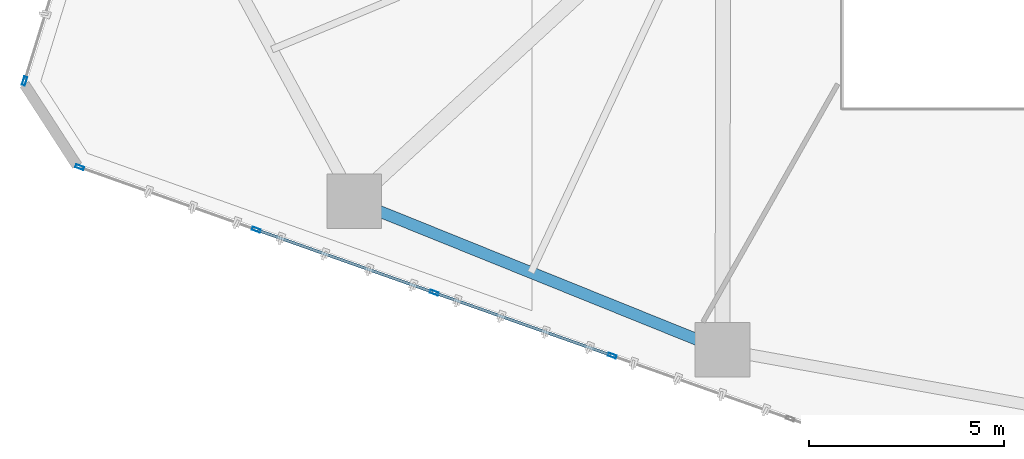
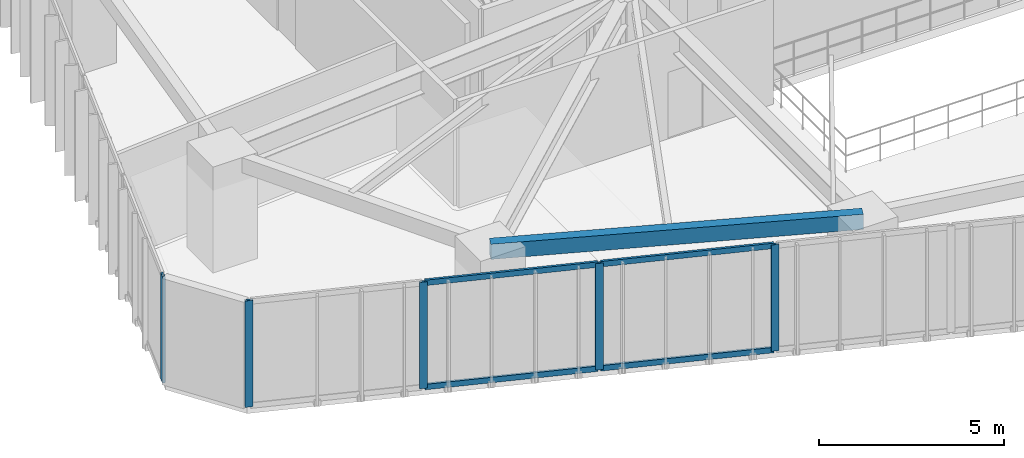
# One storey, part 2 of 24: 9 members, 1 beam, 2 elements without a shape of their own.
"""IFC4 building model written with IfcOpenShell, lengths in metres."""

from ifc_helpers import new_model, si_unit, direction, frame, origin, origin_2d, place, context, subcontext, project, spatial, hollow_rectangle, extrude, source, transform, mapped, material, layer, layer_set, material_profile, profile_set, type_object, type_shapes, element, aggregate, save


model = new_model("IFC4")

# Units and contexts
model_context = context("Model", 3, precision=1e-05, world=origin(), true_north=direction((0.0, 1.0)))
body_context = subcontext(model_context, "Body", "Model", "MODEL_VIEW")
ifc_project = project(units=[si_unit("LENGTHUNIT", "METRE"), si_unit("AREAUNIT", "SQUARE_METRE"), si_unit("VOLUMEUNIT", "CUBIC_METRE"), si_unit("PLANEANGLEUNIT", "RADIAN"), si_unit("MASSUNIT", "GRAM", prefix="KILO")], contexts=[model_context])

# Site, building, storey
site_placement = place(None, origin())
site = spatial("IfcSite", under=ifc_project, at=site_placement, CompositionType="ELEMENT")
building_placement = place(site_placement, origin())
building = spatial("IfcBuilding", under=site, at=building_placement, Name="Talar Marvaseh", CompositionType="ELEMENT")
storey_placement = place(building_placement, frame((0.0, 0.0, 31.60009765625)))
storey = spatial("IfcBuildingStorey", under=building, at=storey_placement, Name="L07", CompositionType="ELEMENT", Elevation=31.60009765625)

# Beam
ifc_material_1 = material(Name="Steel S355", Category="steel")
ifc_material_profile_1 = material_profile(ifc_material_1, hollow_rectangle(XDim=0.300048828125, YDim=0.5, WallThickness=0.02001953125, at=origin_2d()), Name="RHS500x300x20")
ifc_profile_set_1 = profile_set([ifc_material_profile_1], Name="Steel S355")
beam_type = type_object("IfcBeamType", Name="Zone 1 Perimeter Spandrel Beam RHS500x300x20", PredefinedType="SPANDREL", material=ifc_profile_set_1)
beam_placement = place(storey_placement, frame((18.68310546875, 12.97900390625, 3.27001953125), z_axis=(-0.927239278118, 0.374469386084, 0.0), x_axis=(-0.374469386084, -0.927239278118, 0.0)))
element("IfcBeam", 1, at=beam_placement, inside=storey, type_object=beam_type, Name="L07 Zone 1 Perimeter Spandrel Beam RHS500x300x20", PredefinedType="SPANDREL", context=body_context, shape_type="SweptSolid", body=[
    extrude(hollow_rectangle(XDim=0.300048828125, YDim=0.5, WallThickness=0.02001953125, at=origin_2d()), origin(), (0.0, 0.0, 1.0), 10.19287109375),
])

# Curtain wall, member
ifc_material_2 = material(Name="Architectural Aluminium", Category="aluminium")
ifc_layer = layer(ifc_material_2, 0.219970703125)
ifc_layer_set = layer_set([ifc_layer], Name="Architectural Aluminium")
curtain_wall_type = type_object("IfcCurtainWallType", Name="Unitised Low-E Museum Curtain Wall Z1", PredefinedType="NOTDEFINED", material=ifc_layer_set)
curtain_wall_1_placement = place(storey_placement, origin())
curtain_wall_1 = element("IfcCurtainWall", 2, at=curtain_wall_1_placement, inside=storey, type_object=curtain_wall_type, Name="L07 Unitised Low-E Museum Curtain Wall Z1", PredefinedType="NOTDEFINED")
ifc_material_profile_2 = material_profile(ifc_material_2, hollow_rectangle(XDim=0.080078125, YDim=0.219970703125, WallThickness=0.0048828125, at=origin_2d()), Name="RHS220x80x5")
ifc_profile_set_2 = profile_set([ifc_material_profile_2], Name="Architectural Aluminium")
member_type_1 = type_object("IfcMemberType", Name="Unitised Curtain Wall Heavy Mullion RHS220x80x5", PredefinedType="MULLION", material=ifc_profile_set_2)
shared_shape_1 = source(origin(), body_context, "Body", "SweptSolid", [
    extrude(hollow_rectangle(XDim=0.080078125, YDim=0.219970703125, WallThickness=0.0048828125, at=origin_2d()), origin(), (0.0, 0.0, 1.0), 3.52001953125),
])
type_shapes(member_type_1, [shared_shape_1])
member_1_placement = place(storey_placement, frame((0.775390625, 19.87841796875, 0.0), z_axis=(0.0, 0.0, 1.0), x_axis=(-0.955516473068, 0.294937738677, 0.0)))
member_1 = element("IfcMember", 3, at=member_1_placement, type_object=member_type_1, Name="CW-Z1 mullion 1", PredefinedType="MULLION", context=body_context, shape_type="MappedRepresentation", body=[
    mapped(shared_shape_1, transform((0.0, 0.0, 0.0), x_axis=(1.0, 0.0, 0.0), y_axis=(0.0, 1.0, 0.0), z_axis=(0.0, 0.0, 1.0), scale=1.0)),
])
aggregate(curtain_wall_1, [member_1])

# Curtain wall, members
curtain_wall_2_placement = place(storey_placement, origin())
curtain_wall_2 = element("IfcCurtainWall", 4, at=curtain_wall_2_placement, inside=storey, type_object=curtain_wall_type, Name="L07 Unitised Low-E Museum Curtain Wall Z1", PredefinedType="NOTDEFINED")
member_2_placement = place(storey_placement, frame((15.854248046875, 12.83056640625, 0.0), z_axis=(0.0, 0.0, 1.0), x_axis=(-0.333661385174, -0.942692993526, 0.0)))
member_2 = element("IfcMember", 5, at=member_2_placement, type_object=member_type_1, Name="CW-Z1 mullion 3", PredefinedType="MULLION", context=body_context, shape_type="MappedRepresentation", body=[
    mapped(shared_shape_1, transform((0.0, 0.0, 0.0), x_axis=(1.0, 0.0, 0.0), y_axis=(0.0, 1.0, 0.0), z_axis=(0.0, 0.0, 1.0), scale=1.0)),
])
member_3_placement = place(storey_placement, frame((11.28662109375, 14.447265625, 0.0), z_axis=(0.0, 0.0, 1.0), x_axis=(-0.333661385174, -0.942692993526, 0.0)))
member_3 = element("IfcMember", 6, at=member_3_placement, type_object=member_type_1, Name="CW-Z1 mullion 4", PredefinedType="MULLION", context=body_context, shape_type="MappedRepresentation", body=[
    mapped(shared_shape_1, transform((0.0, 0.0, 0.0), x_axis=(1.0, 0.0, 0.0), y_axis=(0.0, 1.0, 0.0), z_axis=(0.0, 0.0, 1.0), scale=1.0)),
])
member_4_placement = place(storey_placement, frame((6.71875, 16.06396484375, 0.0), z_axis=(0.0, 0.0, 1.0), x_axis=(-0.333661385174, -0.942692993526, 0.0)))
member_4 = element("IfcMember", 7, at=member_4_placement, type_object=member_type_1, Name="CW-Z1 mullion 5", PredefinedType="MULLION", context=body_context, shape_type="MappedRepresentation", body=[
    mapped(shared_shape_1, transform((0.0, 0.0, 0.0), x_axis=(1.0, 0.0, 0.0), y_axis=(0.0, 1.0, 0.0), z_axis=(0.0, 0.0, 1.0), scale=1.0)),
])
member_5_placement = place(storey_placement, frame((2.18896484375, 17.667236328125, 0.0), z_axis=(0.0, 0.0, 1.0), x_axis=(-0.333661385174, -0.942692993526, 0.0)))
member_5 = element("IfcMember", 8, at=member_5_placement, type_object=member_type_1, Name="CW-Z1 mullion 6", PredefinedType="MULLION", context=body_context, shape_type="MappedRepresentation", body=[
    mapped(shared_shape_1, transform((0.0, 0.0, 0.0), x_axis=(1.0, 0.0, 0.0), y_axis=(0.0, 1.0, 0.0), z_axis=(0.0, 0.0, 1.0), scale=1.0)),
])
ifc_material_profile_3 = material_profile(ifc_material_2, hollow_rectangle(XDim=0.074951171875, YDim=0.179931640625, WallThickness=0.0048828125, at=origin_2d()), Name="RHS180x75x5")
ifc_profile_set_3 = profile_set([ifc_material_profile_3], Name="Architectural Aluminium")
member_type_2 = type_object("IfcMemberType", Name="Unitised Curtain Wall Transom RHS180x75x5", PredefinedType="USERDEFINED", material=ifc_profile_set_3)
shared_shape_2 = source(origin(), body_context, "Body", "SweptSolid", [
    extrude(hollow_rectangle(XDim=0.074951171875, YDim=0.179931640625, WallThickness=0.0048828125, at=origin_2d()), origin(), (0.0, 0.0, 1.0), 4.76513671875),
])
type_shapes(member_type_2, [shared_shape_2])
member_6_placement = place(storey_placement, frame((15.81640625, 12.843994140625, 0.037353515625), z_axis=(-0.942702441645, 0.333634690217, 0.0), x_axis=(-0.333634690217, -0.942702441645, 0.0)))
member_6 = element("IfcMember", 9, at=member_6_placement, type_object=member_type_2, Name="CW-Z1 transom 3.1", ObjectType="TRANSOM", PredefinedType="USERDEFINED", context=body_context, shape_type="MappedRepresentation", body=[
    mapped(shared_shape_2, transform((0.0, 0.0, 0.0), x_axis=(1.0, 0.0, 0.0), y_axis=(0.0, 1.0, 0.0), z_axis=(0.0, 0.0, 1.0), scale=1.0)),
])
member_7_placement = place(storey_placement, frame((15.81640625, 12.843994140625, 3.482421875), z_axis=(-0.942702441645, 0.333634690217, 0.0), x_axis=(-0.333634690217, -0.942702441645, 0.0)))
member_7 = element("IfcMember", 10, at=member_7_placement, type_object=member_type_2, Name="CW-Z1 transom 3.2", ObjectType="TRANSOM", PredefinedType="USERDEFINED", context=body_context, shape_type="MappedRepresentation", body=[
    mapped(shared_shape_2, transform((0.0, 0.0, 0.0), x_axis=(1.0, 0.0, 0.0), y_axis=(0.0, 1.0, 0.0), z_axis=(0.0, 0.0, 1.0), scale=1.0)),
])
member_8_placement = place(storey_placement, frame((11.248779296875, 14.460693359375, 0.037353515625), z_axis=(-0.942702441645, 0.333634690217, 0.0), x_axis=(-0.333634690217, -0.942702441645, 0.0)))
member_8 = element("IfcMember", 11, at=member_8_placement, type_object=member_type_2, Name="CW-Z1 transom 4.1", ObjectType="TRANSOM", PredefinedType="USERDEFINED", context=body_context, shape_type="MappedRepresentation", body=[
    mapped(shared_shape_2, transform((0.0, 0.0, 0.0), x_axis=(1.0, 0.0, 0.0), y_axis=(0.0, 1.0, 0.0), z_axis=(0.0, 0.0, 1.0), scale=1.0)),
])
member_9_placement = place(storey_placement, frame((11.248779296875, 14.460693359375, 3.482421875), z_axis=(-0.942702441645, 0.333634690217, 0.0), x_axis=(-0.333634690217, -0.942702441645, 0.0)))
member_9 = element("IfcMember", 12, at=member_9_placement, type_object=member_type_2, Name="CW-Z1 transom 4.2", ObjectType="TRANSOM", PredefinedType="USERDEFINED", context=body_context, shape_type="MappedRepresentation", body=[
    mapped(shared_shape_2, transform((0.0, 0.0, 0.0), x_axis=(1.0, 0.0, 0.0), y_axis=(0.0, 1.0, 0.0), z_axis=(0.0, 0.0, 1.0), scale=1.0)),
])
aggregate(curtain_wall_2, [member_2, member_3, member_4, member_5, member_6, member_7, member_8, member_9])

save(model, "model.ifc")
